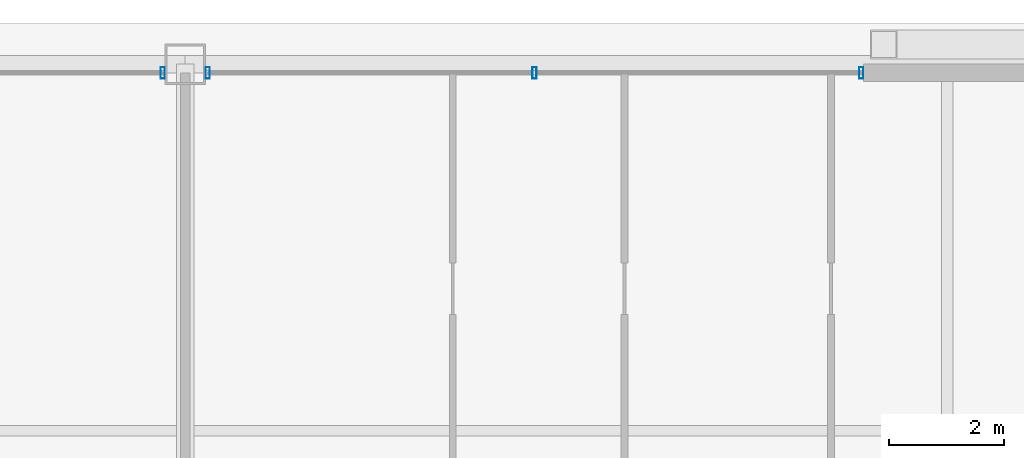
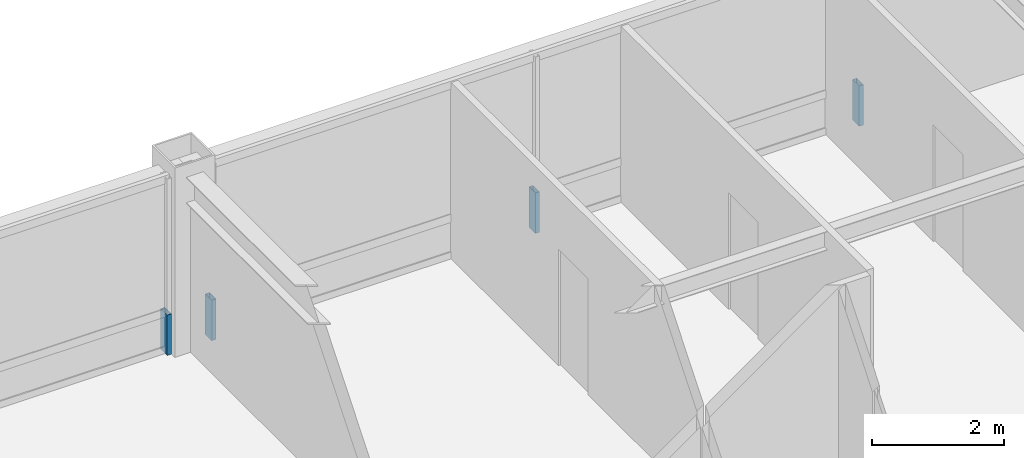
# One storey, part 27 of 35: 4 members, 2 elements without a shape of their own.
"""IFC4 building model written with IfcOpenShell, lengths in metres."""

import ifcopenshell
import ifcopenshell.guid

model = None  # the IFC model being written
_history = None  # IfcOwnerHistory: only IFC2X3 demands one
_inside = {}  # id of a spatial element -> (the spatial element, [elements in it])
_under = {}  # id of a project, library or spatial element -> (it, [spatial elements below it])
_declared = {}  # id of a project -> (the project, [libraries it declares])
_typed = {}  # id of a type object -> (the type object, [elements of that type])
_made_of = {}  # id of a material, layer set ... -> (it, [elements and type objects made of it])


def new_model(schema):
    """Start an empty IFC model of exactly this schema.

    Asked for "IFC4X3", IfcOpenShell would pick the latest addendum, in which some entities
    have other attributes; the version numbers below select the first issue.
    IFC2X3 requires an IfcOwnerHistory on every rooted entity: one is made here for all.
    """
    global model, _history
    if schema == "IFC4X3":
        model = ifcopenshell.file(schema_version=(4, 3, 0, 0))
    else:
        model = ifcopenshell.file(schema=schema)
    _inside.clear()
    _under.clear()
    _declared.clear()
    _typed.clear()
    _made_of.clear()
    _history = None
    if model.schema == "IFC2X3":
        org = make("IfcOrganization", Name="unknown")
        user = make(
            "IfcPersonAndOrganization",
            ThePerson=make("IfcPerson", FamilyName="unknown"),
            TheOrganization=org,
        )
        app = make(
            "IfcApplication",
            ApplicationDeveloper=org,
            Version="unknown",
            ApplicationFullName="unknown",
            ApplicationIdentifier="unknown",
        )
        _history = make(
            "IfcOwnerHistory",
            OwningUser=user,
            OwningApplication=app,
            ChangeAction="ADDED",
            CreationDate=0,
        )
    return model


def make(cls, **values):
    """One entity of the class cls with the attributes given. An attribute that is None is left unset."""
    return model.create_entity(
        cls, **{name: value for name, value in values.items() if value is not None}
    )


def rooted(cls, **values):
    """An entity with a GlobalId (a new one), such as an element, a storey or a relation."""
    return make(cls, GlobalId=ifcopenshell.guid.new(), OwnerHistory=_history, **values)


def si_unit(unit_type, name, prefix=None):
    """IfcSIUnit, for example si_unit("LENGTHUNIT", "METRE", prefix="MILLI")."""
    return make("IfcSIUnit", UnitType=unit_type, Prefix=prefix, Name=name)


def assignment(units):
    """IfcUnitAssignment: the units of a project."""
    return None if units is None else make("IfcUnitAssignment", Units=units)


def point(xyz):
    """IfcCartesianPoint."""
    return None if xyz is None else make("IfcCartesianPoint", Coordinates=xyz)


def direction(xyz):
    """IfcDirection."""
    return None if xyz is None else make("IfcDirection", DirectionRatios=xyz)


def frame(location, z_axis=None, x_axis=None):
    """IfcAxis2Placement3D, a coordinate frame: its origin and axes. An axis left out is left unset."""
    return make(
        "IfcAxis2Placement3D",
        Location=point(location),
        Axis=direction(z_axis),
        RefDirection=direction(x_axis),
    )


def frame_2d(location, x_axis=None):
    """IfcAxis2Placement2D, a coordinate frame in the plane: its origin and x axis."""
    return make(
        "IfcAxis2Placement2D", Location=point(location), RefDirection=direction(x_axis)
    )


def origin():
    """The frame at (0, 0, 0) with its axes left unset."""
    return frame((0.0, 0.0, 0.0))


def origin_2d():
    """The frame at (0, 0) in the plane with its x axis left unset."""
    return frame_2d((0.0, 0.0))


def place(relative_to, where):
    """IfcLocalPlacement: puts the frame where relative to a parent placement (None: the world)."""
    return make(
        "IfcLocalPlacement", PlacementRelTo=relative_to, RelativePlacement=where
    )


def context(
    kind, dimensions, precision=None, world=None, true_north=None, identifier=None
):
    """IfcGeometricRepresentationContext, for example the 3D "Model" context."""
    return make(
        "IfcGeometricRepresentationContext",
        ContextIdentifier=identifier,
        ContextType=kind,
        CoordinateSpaceDimension=dimensions,
        Precision=precision,
        WorldCoordinateSystem=world,
        TrueNorth=true_north,
    )


def subcontext(parent, identifier, kind, view, scale=None):
    """IfcGeometricRepresentationSubContext, for example "Body" below "Model"."""
    return make(
        "IfcGeometricRepresentationSubContext",
        ContextIdentifier=identifier,
        ContextType=kind,
        ParentContext=parent,
        TargetScale=scale,
        TargetView=view,
    )


def project(units=None, contexts=None):
    """IfcProject with its units and contexts."""
    return rooted(
        "IfcProject",
        Name="project",
        RepresentationContexts=contexts,
        UnitsInContext=assignment(units),
    )


def spatial(cls, under=None, at=None, **own):
    """A site, building, storey or space (cls), placed at a placement, below another one or the project."""
    s = rooted(cls, ObjectPlacement=at, **own)
    if under is not None:
        _under.setdefault(under.id(), (under, []))[1].append(s)
    return s


def profile(cls, at=None, kind="AREA", **sizes):
    """A parametric profile (cls). Its sizes go by their IFC names, for example OverallWidth=200.0."""
    return make(cls, ProfileType=kind, Position=at, **sizes)


def hollow_rectangle(**sizes):
    """IfcRectangleHollowProfileDef."""
    return profile("IfcRectangleHollowProfileDef", **sizes)


def extrude(swept, where, along, depth):
    """IfcExtrudedAreaSolid: the profile swept, set in the frame where, extruded along a direction by depth."""
    return make(
        "IfcExtrudedAreaSolid",
        SweptArea=swept,
        Position=where,
        ExtrudedDirection=direction(along),
        Depth=depth,
    )


def shape(context_of_items, identifier, shape_type, items):
    """IfcShapeRepresentation: the items that make up one representation, for example the "Body"."""
    return make(
        "IfcShapeRepresentation",
        ContextOfItems=context_of_items,
        RepresentationIdentifier=identifier,
        RepresentationType=shape_type,
        Items=items,
    )


def source(mapping_origin, context_of_items, identifier, shape_type, items):
    """IfcRepresentationMap: a shape defined once, which mapped items show again and again."""
    return make(
        "IfcRepresentationMap",
        MappingOrigin=mapping_origin,
        MappedRepresentation=shape(context_of_items, identifier, shape_type, items),
    )


def transform(
    local_origin,
    x_axis=None,
    y_axis=None,
    z_axis=None,
    scale=None,
    scale2=None,
    scale3=None,
    uniform=True,
):
    """IfcCartesianTransformationOperator3D, or its non-uniform kind. x_axis, y_axis, z_axis: its Axis1, 2, 3."""
    if uniform:
        return make(
            "IfcCartesianTransformationOperator3D",
            Axis1=direction(x_axis),
            Axis2=direction(y_axis),
            LocalOrigin=point(local_origin),
            Scale=scale,
            Axis3=direction(z_axis),
        )
    return make(
        "IfcCartesianTransformationOperator3DnonUniform",
        Axis1=direction(x_axis),
        Axis2=direction(y_axis),
        LocalOrigin=point(local_origin),
        Scale=scale,
        Axis3=direction(z_axis),
        Scale2=scale2,
        Scale3=scale3,
    )


def mapped(mapping_source, mapping_target):
    """IfcMappedItem: shows the shape of a source again, moved by a transform."""
    return make(
        "IfcMappedItem", MappingSource=mapping_source, MappingTarget=mapping_target
    )


def material(Name=None, Category=None):
    """IfcMaterial."""
    return make("IfcMaterial", Name=Name, Category=Category)


def layer(
    of_material, thickness, ventilated=None, Name=None, Category=None, Priority=None
):
    """IfcMaterialLayer: one layer of a wall or slab, of a material (None: an air gap)."""
    return make(
        "IfcMaterialLayer",
        Material=of_material,
        LayerThickness=thickness,
        IsVentilated=ventilated,
        Name=Name,
        Category=Category,
        Priority=Priority,
    )


def layer_set(layers, Name=None):
    """IfcMaterialLayerSet."""
    return make("IfcMaterialLayerSet", MaterialLayers=layers, LayerSetName=Name)


def material_profile(
    of_material, cross_section, Name=None, Category=None, Priority=None
):
    """IfcMaterialProfile: a cross section and its material."""
    return make(
        "IfcMaterialProfile",
        Name=Name,
        Material=of_material,
        Profile=cross_section,
        Priority=Priority,
        Category=Category,
    )


def profile_set(profiles, Name=None, composite=None):
    """IfcMaterialProfileSet."""
    return make(
        "IfcMaterialProfileSet",
        Name=Name,
        MaterialProfiles=profiles,
        CompositeProfile=composite,
    )


def made_of(thing, what):
    """Note that an element or type object is made of a material, layer set ...; save() writes the relation."""
    if what is not None:
        _made_of.setdefault(what.id(), (what, []))[1].append(thing)
    return thing


def type_object(cls, material=None, **own):
    """A type object (cls), such as IfcWallType, which elements share."""
    return made_of(rooted(cls, **own), material)


def element(
    cls,
    number,
    at=None,
    inside=None,
    cuts=None,
    type_object=None,
    material=None,
    context=None,
    identifier="Body",
    shape_type=None,
    held_by="IfcProductDefinitionShape",
    body=None,
    shapes=None,
    **own,
):
    """One element of the class cls, such as IfcWall. Its Tag is "e" and its number.

    at: its placement. inside: the storey or other place that contains it. cuts: it is an
    opening in that element (IfcRelVoidsElement). A single representation is given by context,
    identifier, shape_type and body (its items); several are given by shapes. held_by: the class
    of the entity that holds the representations. save() writes the other relations.
    """
    e = rooted(cls, Tag="e%d" % number, ObjectPlacement=at, **own)
    if body is not None:
        shapes = [shape(context, identifier, shape_type, body)]
    if shapes is not None:
        e.Representation = make(held_by, Representations=shapes)
    if inside is not None:
        _inside.setdefault(inside.id(), (inside, []))[1].append(e)
    if cuts is not None:
        rooted(
            "IfcRelVoidsElement", RelatingBuildingElement=cuts, RelatedOpeningElement=e
        )
    if type_object is not None:
        _typed.setdefault(type_object.id(), (type_object, []))[1].append(e)
    return made_of(e, material)


def aggregate(whole, parts):
    """IfcRelAggregates: a whole, such as a stair, and the parts it consists of."""
    return rooted("IfcRelAggregates", RelatingObject=whole, RelatedObjects=parts)


def save(model, path):
    """Write the relations noted so far, then the file.

    IfcRelAggregates (storeys below a building ...), IfcRelContainedInSpatialStructure (elements
    in a storey), IfcRelDefinesByType, IfcRelAssociatesMaterial and IfcRelDeclares: one each for
    every whole, place, type object, material and project.
    """
    for whole, parts in _under.values():
        aggregate(whole, parts)
    for where, things in _inside.values():
        rooted(
            "IfcRelContainedInSpatialStructure",
            RelatedElements=things,
            RelatingStructure=where,
        )
    for kind, things in _typed.values():
        rooted("IfcRelDefinesByType", RelatedObjects=things, RelatingType=kind)
    for what, things in _made_of.values():
        rooted("IfcRelAssociatesMaterial", RelatedObjects=things, RelatingMaterial=what)
    for by, libraries in _declared.values():
        rooted("IfcRelDeclares", RelatingContext=by, RelatedDefinitions=libraries)
    model.write(path)


model = new_model("IFC4")

# Units and contexts
model_context = context("Model", 3, precision=1e-05, world=origin(), true_north=direction((0.0, 1.0)))
body_context = subcontext(model_context, "Body", "Model", "MODEL_VIEW")
ifc_project = project(units=[si_unit("LENGTHUNIT", "METRE"), si_unit("AREAUNIT", "SQUARE_METRE"), si_unit("VOLUMEUNIT", "CUBIC_METRE"), si_unit("PLANEANGLEUNIT", "RADIAN"), si_unit("MASSUNIT", "GRAM", prefix="KILO"), si_unit("THERMODYNAMICTEMPERATUREUNIT", "KELVIN"), si_unit("POWERUNIT", "WATT")], contexts=[model_context])

# Site, building, storey
site_placement = place(None, origin())
site = spatial("IfcSite", under=ifc_project, at=site_placement, CompositionType="ELEMENT")
building_placement = place(site_placement, origin())
building = spatial("IfcBuilding", under=site, at=building_placement, Name="Yuzanri Waterfront Tower", CompositionType="ELEMENT")
storey_placement = place(building_placement, frame((0.0, 0.0, 335.699951171875)))
storey = spatial("IfcBuildingStorey", under=building, at=storey_placement, Name="L90", CompositionType="ELEMENT", Elevation=335.699951171875)

# Curtain wall, member
ifc_material_1 = material(Name="Anodized Architectural Bronze", Category="metal")
ifc_layer = layer(ifc_material_1, 0.159912109375)
ifc_layer_set = layer_set([ifc_layer], Name="Anodized Architectural Bronze")
curtain_wall_type = type_object("IfcCurtainWallType", Name="Anodized Bronze High-Rise Penthouse High-Wind Unitized Curtain Wall 6900", PredefinedType="NOTDEFINED", material=ifc_layer_set)
curtain_wall_1_placement = place(storey_placement, origin())
curtain_wall_1 = element("IfcCurtainWall", 1, at=curtain_wall_1_placement, inside=storey, type_object=curtain_wall_type, Name="L90 Curtain Wall CW-L90-NL", PredefinedType="NOTDEFINED")
ifc_material_2 = material(Name="Anodized Architectural Bronze", Category="metal")
ifc_material_profile = material_profile(ifc_material_2, hollow_rectangle(XDim=0.074951171875, YDim=0.199951171875, WallThickness=0.00390625, at=origin_2d()), Name="CWM 75x200")
ifc_profile_set = profile_set([ifc_material_profile], Name="Anodized Architectural Bronze")
member_type = type_object("IfcMemberType", Name="Anodized Bronze Primary Curtain-Wall Mullion 75x200", PredefinedType="MULLION", material=ifc_profile_set)
shared_shape = source(origin(), body_context, "Body", "SweptSolid", [
    extrude(hollow_rectangle(XDim=0.074951171875, YDim=0.199951171875, WallThickness=0.00390625, at=origin_2d()), origin(), (0.0, 0.0, 1.0), 0.748046875),
])
member_1_placement = place(storey_placement, frame((36.610107421875, 44.75, 0.0), z_axis=(0.0, 0.0, 1.0), x_axis=(1.0, 0.0, 0.0)))
member_1 = element("IfcMember", 2, at=member_1_placement, type_object=member_type, Name="CW-L90-NL Lower Mullion 02", PredefinedType="MULLION", context=body_context, shape_type="MappedRepresentation", body=[
    mapped(shared_shape, transform((0.0, 0.0, 0.0), scale=1.0)),
])
aggregate(curtain_wall_1, [member_1])

# Curtain wall, members
curtain_wall_2_placement = place(storey_placement, origin())
curtain_wall_2 = element("IfcCurtainWall", 3, at=curtain_wall_2_placement, inside=storey, type_object=curtain_wall_type, Name="L90 Curtain Wall CW-L90-NR", PredefinedType="NOTDEFINED")
member_2_placement = place(storey_placement, frame((37.389892578125, 44.75, 0.0), z_axis=(0.0, 0.0, 1.0), x_axis=(1.0, 0.0, 0.0)))
member_2 = element("IfcMember", 4, at=member_2_placement, type_object=member_type, Name="CW-L90-NR Lower Mullion 00", PredefinedType="MULLION", context=body_context, shape_type="MappedRepresentation", body=[
    mapped(shared_shape, transform((0.0, 0.0, 0.0), scale=1.0)),
])
member_3_placement = place(storey_placement, frame((43.050048828125, 44.75, 0.0), z_axis=(0.0, 0.0, 1.0), x_axis=(1.0, 0.0, 0.0)))
member_3 = element("IfcMember", 5, at=member_3_placement, type_object=member_type, Name="CW-L90-NR Lower Mullion 01", PredefinedType="MULLION", context=body_context, shape_type="MappedRepresentation", body=[
    mapped(shared_shape, transform((0.0, 0.0, 0.0), scale=1.0)),
])
member_4_placement = place(storey_placement, frame((48.7099609375, 44.75, 0.0), z_axis=(0.0, 0.0, 1.0), x_axis=(1.0, 0.0, 0.0)))
member_4 = element("IfcMember", 6, at=member_4_placement, type_object=member_type, Name="CW-L90-NR Lower Mullion 02", PredefinedType="MULLION", context=body_context, shape_type="MappedRepresentation", body=[
    mapped(shared_shape, transform((0.0, 0.0, 0.0), scale=1.0)),
])
aggregate(curtain_wall_2, [member_2, member_3, member_4])

save(model, "model.ifc")
